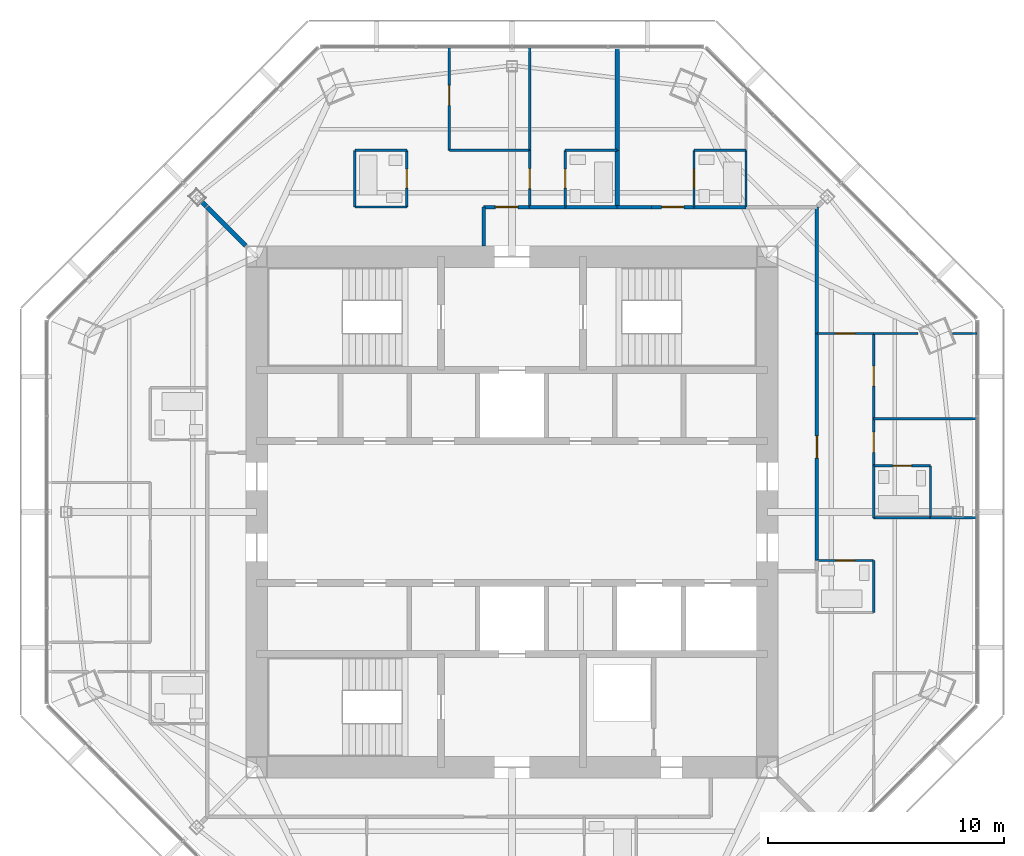
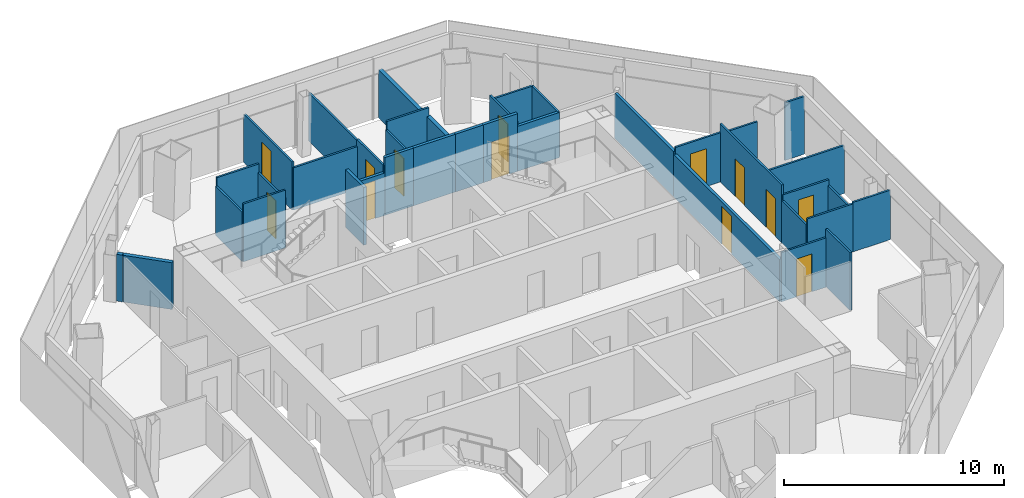
# One storey, part 11 of 15: 38 walls, 13 doors, 13 openings.
"""IFC4 building model written with IfcOpenShell, lengths in metres."""

from ifc_helpers import new_model, si_unit, direction, frame, frame_2d, origin, place, context, subcontext, project, spatial, rectangle, extrude, material, layer, layer_set, type_object, element, fill, save


model = new_model("IFC4")

# Units and contexts
model_context = context("Model", 3, precision=1e-05, world=origin(), true_north=direction((0.0, 1.0)))
body_context = subcontext(model_context, "Body", "Model", "MODEL_VIEW")
ifc_project = project(units=[si_unit("LENGTHUNIT", "METRE"), si_unit("AREAUNIT", "SQUARE_METRE"), si_unit("VOLUMEUNIT", "CUBIC_METRE"), si_unit("PLANEANGLEUNIT", "RADIAN"), si_unit("MASSUNIT", "GRAM", prefix="KILO")], contexts=[model_context])

# Site, building, storey
site_placement = place(None, origin())
site = spatial("IfcSite", under=ifc_project, at=site_placement, CompositionType="ELEMENT")
building_placement = place(site_placement, origin())
building = spatial("IfcBuilding", under=site, at=building_placement, Name="Mashrafa Tower", CompositionType="ELEMENT")
storey_placement = place(building_placement, frame((0.0, 0.0, 294.60009765625)))
storey = spatial("IfcBuildingStorey", under=building, at=storey_placement, Name="L72", CompositionType="ELEMENT", Elevation=294.60009765625)

# Walls
ifc_material_1 = material(Name="Gypsum board on steel studs", Category="steel")
ifc_layer_1 = layer(ifc_material_1, 0.199951171875)
ifc_layer_set_1 = layer_set([ifc_layer_1], Name="Acoustic partition 200 1 hr")
wall_type_1 = type_object("IfcWallType", Name="Acoustic partition 200 1 hr", PredefinedType="PARTITIONING", material=ifc_layer_set_1)
wall_1_placement = place(storey_placement, frame((4.449951171875, 15.300048828125, 0.0), z_axis=(0.0, 0.0, 1.0), x_axis=(0.0, -1.0, 0.0)))
element("IfcWall", 1, at=wall_1_placement, inside=storey, type_object=wall_type_1, Name="Acoustic wall L72-050", PredefinedType="PARTITIONING", context=body_context, shape_type="SweptSolid", body=[
    extrude(rectangle(XDim=2.400146484375, YDim=0.199951171875, at=frame_2d((1.2001953125, 0.0))), origin(), (0.0, 0.0, 1.0), 2.730224609375),
])
wall_2_placement = place(storey_placement, frame((4.449951171875, 19.662841796875, 0.0), z_axis=(0.0, 0.0, 1.0), x_axis=(0.0, -1.0, 0.0)))
element("IfcWall", 2, at=wall_2_placement, inside=storey, type_object=wall_type_1, Name="Acoustic wall L72-051", PredefinedType="PARTITIONING", context=body_context, shape_type="SweptSolid", body=[
    extrude(rectangle(XDim=4.36279296875, YDim=0.199951171875, at=frame_2d((2.181396484375, 0.0))), origin(), (0.0, 0.0, 1.0), 2.66162109375),
])
wall_3_placement = place(storey_placement, frame((-13.110107421875, 13.110107421875, 0.0), z_axis=(0.0, 0.0, 1.0), x_axis=(0.707106781187, -0.707106781187, 0.0)))
element("IfcWall", 3, at=wall_3_placement, inside=storey, type_object=wall_type_1, Name="Acoustic wall L72-062", PredefinedType="PARTITIONING", context=body_context, shape_type="SweptSolid", body=[
    extrude(rectangle(XDim=0.26171875, YDim=0.199951171875, at=frame_2d((0.130859375, 0.0))), origin(), (0.0, 0.0, 1.0), 2.590576171875),
])
wall_4_placement = place(storey_placement, frame((-12.90087890625, 12.90087890625, 0.0), z_axis=(0.0, 0.0, 1.0), x_axis=(0.707106781187, -0.707106781187, 0.0)))
element("IfcWall", 4, at=wall_4_placement, inside=storey, type_object=wall_type_1, Name="Acoustic wall L72-063", PredefinedType="PARTITIONING", context=body_context, shape_type="SweptSolid", body=[
    extrude(rectangle(XDim=2.307861328125, YDim=0.199951171875, at=frame_2d((1.15380859375, 0.0))), origin(), (0.0, 0.0, 1.0), 2.590576171875),
])
ifc_material_2 = material(Name="Gypsum board on steel studs", Category="steel")
ifc_layer_2 = layer(ifc_material_2, 0.14990234375)
ifc_layer_set_2 = layer_set([ifc_layer_2], Name="Corridor partition 150 1 hr")
wall_type_2 = type_object("IfcWallType", Name="Corridor partition 150 1 hr", PredefinedType="PARTITIONING", material=ifc_layer_set_2)
wall_5_placement = place(storey_placement, frame((12.89990234375, 7.549072265625, 0.0), z_axis=(0.0, 0.0, 1.0), x_axis=(0.0, 1.0, 0.0)))
element("IfcWall", 5, at=wall_5_placement, inside=storey, type_object=wall_type_2, Name="Corridor wall L72-002", PredefinedType="PARTITIONING", context=body_context, shape_type="SweptSolid", body=[
    extrude(rectangle(XDim=5.350830078125, YDim=0.14990234375, at=frame_2d((2.67529296875, 0.0))), origin(), (0.0, 0.0, 1.0), 2.49658203125),
])

# Wall, opening, door
wall_6_placement = place(storey_placement, frame((12.89990234375, -2.051025390625, 0.0), z_axis=(0.0, 0.0, 1.0), x_axis=(0.0, 1.0, 0.0)))
wall_6 = element("IfcWall", 6, at=wall_6_placement, inside=storey, type_object=wall_type_2, Name="Corridor wall L72-004", PredefinedType="PARTITIONING", context=body_context, shape_type="SweptSolid", body=[
    extrude(rectangle(XDim=9.60205078125, YDim=0.14990234375, at=frame_2d((4.801025390625, 0.0))), origin(), (0.0, 0.0, 1.0), 2.34912109375),
])
opening_1_placement = place(wall_6_placement, frame((4.325927734375, 0.0, 0.0)))
opening_1 = element("IfcOpeningElement", 7, at=opening_1_placement, cuts=wall_6, Name="Opening 72.007", PredefinedType="OPENING", context=body_context, shape_type="SweptSolid", body=[
    extrude(rectangle(XDim=0.949951171875, YDim=2.10009765625, at=frame_2d((0.47509765625, 1.050048828125))), frame((0.0, 0.0849609375, 0.0), z_axis=(0.0, -1.0, 0.0), x_axis=(1.0, 0.0, 0.0)), (0.0, 0.0, 1.0), 0.169921875),
])
ifc_material_3 = material(Name="Steel door", Category="steel")
door_type_1 = type_object("IfcDoorType", Name="Residence entrance door 950 x 2100 20 min", OperationType="USERDEFINED", PredefinedType="DOOR", material=ifc_material_3)
door_1_placement = place(opening_1_placement, frame((0.949951171875, 0.0, 0.0), z_axis=(0.0, 0.0, 1.0), x_axis=(-1.0, 0.0, 0.0)))
door_1 = element("IfcDoor", 8, at=door_1_placement, inside=storey, type_object=door_type_1, Name="Apartment 7201 Living Room door", OperationType="SINGLE_SWING_LEFT", OverallHeight=2.10009765625, OverallWidth=0.949951171875, PredefinedType="DOOR", context=body_context, shape_type="SweptSolid", body=[
    extrude(rectangle(XDim=0.949951171875, YDim=2.10009765625, at=frame_2d((0.47509765625, 1.050048828125))), frame((0.0, 0.02490234375, 0.0), z_axis=(0.0, -1.0, 0.0), x_axis=(1.0, 0.0, 0.0)), (0.0, 0.0, 1.0), 0.050048828125),
])
fill(opening_1, door_1)

# Walls
wall_7_placement = place(storey_placement, frame((9.90087890625, 12.89990234375, 0.0), z_axis=(0.0, 0.0, 1.0), x_axis=(-1.0, 0.0, 0.0)))
element("IfcWall", 9, at=wall_7_placement, inside=storey, type_object=wall_type_2, Name="Corridor wall L72-006", PredefinedType="PARTITIONING", context=body_context, shape_type="SweptSolid", body=[
    extrude(rectangle(XDim=2.201904296875, YDim=0.14990234375, at=frame_2d((1.10107421875, 0.0))), origin(), (0.0, 0.0, 1.0), 2.49658203125),
])
wall_8_placement = place(storey_placement, frame((5.90087890625, 12.89990234375, 0.0), z_axis=(0.0, 0.0, 1.0), x_axis=(-1.0, 0.0, 0.0)))
element("IfcWall", 10, at=wall_8_placement, inside=storey, type_object=wall_type_2, Name="Corridor wall L72-007", PredefinedType="PARTITIONING", context=body_context, shape_type="SweptSolid", body=[
    extrude(rectangle(XDim=1.451904296875, YDim=0.14990234375, at=frame_2d((0.72607421875, 0.0))), origin(), (0.0, 0.0, 1.0), 3.199951171875),
])

# Wall, opening, door
wall_9_placement = place(storey_placement, frame((7.700927734375, 12.89990234375, 0.0), z_axis=(0.0, 0.0, 1.0), x_axis=(-1.0, 0.0, 0.0)))
wall_9 = element("IfcWall", 11, at=wall_9_placement, inside=storey, type_object=wall_type_2, Name="Corridor wall L72-008", PredefinedType="PARTITIONING", context=body_context, shape_type="SweptSolid", body=[
    extrude(rectangle(XDim=1.802001953125, YDim=0.14990234375, at=frame_2d((0.90087890625, 0.0))), origin(), (0.0, 0.0, 1.0), 3.199951171875),
])
opening_2_placement = place(wall_9_placement, frame((0.426025390625, 0.0, 0.0)))
opening_2 = element("IfcOpeningElement", 12, at=opening_2_placement, cuts=wall_9, Name="Opening 72.011", PredefinedType="OPENING", context=body_context, shape_type="SweptSolid", body=[
    extrude(rectangle(XDim=0.949951171875, YDim=2.10009765625, at=frame_2d((0.47509765625, 1.050048828125))), frame((0.0, 0.0849609375, 0.0), z_axis=(0.0, -1.0, 0.0), x_axis=(1.0, 0.0, 0.0)), (0.0, 0.0, 1.0), 0.169921875),
])
door_2_placement = place(opening_2_placement, frame((0.949951171875, 0.0, 0.0), z_axis=(0.0, 0.0, 1.0), x_axis=(-1.0, 0.0, 0.0)))
door_2 = element("IfcDoor", 13, at=door_2_placement, inside=storey, type_object=door_type_1, Name="Apartment 7202 Living Room door", OperationType="SINGLE_SWING_LEFT", OverallHeight=2.10009765625, OverallWidth=0.949951171875, PredefinedType="DOOR", context=body_context, shape_type="SweptSolid", body=[
    extrude(rectangle(XDim=0.949951171875, YDim=2.10009765625, at=frame_2d((0.47509765625, 1.050048828125))), frame((0.0, 0.02490234375, 0.0), z_axis=(0.0, -1.0, 0.0), x_axis=(1.0, 0.0, 0.0)), (0.0, 0.0, 1.0), 0.050048828125),
])
fill(opening_2, door_2)

# Walls
wall_10_placement = place(storey_placement, frame((4.450927734375, 12.89990234375, 0.0), z_axis=(0.0, 0.0, 1.0), x_axis=(-1.0, 0.0, 0.0)))
element("IfcWall", 14, at=wall_10_placement, inside=storey, type_object=wall_type_2, Name="Corridor wall L72-009", PredefinedType="PARTITIONING", context=body_context, shape_type="SweptSolid", body=[
    extrude(rectangle(XDim=2.201904296875, YDim=0.14990234375, at=frame_2d((1.10107421875, 0.0))), origin(), (0.0, 0.0, 1.0), 3.199951171875),
])
wall_11_placement = place(storey_placement, frame((2.2509765625, 12.89990234375, 0.0), z_axis=(0.0, 0.0, 1.0), x_axis=(-1.0, 0.0, 0.0)))
element("IfcWall", 15, at=wall_11_placement, inside=storey, type_object=wall_type_2, Name="Corridor wall L72-010", PredefinedType="PARTITIONING", context=body_context, shape_type="SweptSolid", body=[
    extrude(rectangle(XDim=1.501953125, YDim=0.14990234375, at=frame_2d((0.7509765625, 0.0))), origin(), (0.0, 0.0, 1.0), 3.199951171875),
])

# Wall, opening, door
wall_12_placement = place(storey_placement, frame((0.7509765625, 12.89990234375, 0.0), z_axis=(0.0, 0.0, 1.0), x_axis=(-1.0, 0.0, 0.0)))
wall_12 = element("IfcWall", 16, at=wall_12_placement, inside=storey, type_object=wall_type_2, Name="Corridor wall L72-011", PredefinedType="PARTITIONING", context=body_context, shape_type="SweptSolid", body=[
    extrude(rectangle(XDim=1.950927734375, YDim=0.14990234375, at=frame_2d((0.9755859375, 0.0))), origin(), (0.0, 0.0, 1.0), 2.34912109375),
])
opening_3_placement = place(wall_12_placement, frame((0.50048828125, 0.0, 0.0)))
opening_3 = element("IfcOpeningElement", 17, at=opening_3_placement, cuts=wall_12, Name="Opening 72.016", PredefinedType="OPENING", context=body_context, shape_type="SweptSolid", body=[
    extrude(rectangle(XDim=0.949951171875, YDim=2.10009765625, at=frame_2d((0.47509765625, 1.050048828125))), frame((0.0, 0.0849609375, 0.0), z_axis=(0.0, -1.0, 0.0), x_axis=(1.0, 0.0, 0.0)), (0.0, 0.0, 1.0), 0.169921875),
])
door_3_placement = place(opening_3_placement, frame((0.949951171875, 0.0, 0.0), z_axis=(0.0, 0.0, 1.0), x_axis=(-1.0, 0.0, 0.0)))
door_3 = element("IfcDoor", 18, at=door_3_placement, inside=storey, type_object=door_type_1, Name="Apartment 7203 Living Room door", OperationType="SINGLE_SWING_RIGHT", OverallHeight=2.10009765625, OverallWidth=0.949951171875, PredefinedType="DOOR", context=body_context, shape_type="SweptSolid", body=[
    extrude(rectangle(XDim=0.949951171875, YDim=2.10009765625, at=frame_2d((0.47509765625, 1.050048828125))), frame((0.0, 0.02490234375, 0.0), z_axis=(0.0, -1.0, 0.0), x_axis=(1.0, 0.0, 0.0)), (0.0, 0.0, 1.0), 0.050048828125),
])
fill(opening_3, door_3)

# Walls
wall_13_placement = place(storey_placement, frame((-1.199951171875, 12.89990234375, 0.0), z_axis=(0.0, 0.0, 1.0), x_axis=(0.0, -1.0, 0.0)))
element("IfcWall", 19, at=wall_13_placement, inside=storey, type_object=wall_type_2, Name="Corridor wall L72-012", PredefinedType="PARTITIONING", context=body_context, shape_type="SweptSolid", body=[
    extrude(rectangle(XDim=1.64990234375, YDim=0.14990234375, at=frame_2d((0.824951171875, 0.0))), origin(), (0.0, 0.0, 1.0), 3.199951171875),
])
ifc_material_4 = material(Name="Gypsum board on steel studs", Category="steel")
ifc_layer_3 = layer(ifc_material_4, 0.10009765625)
ifc_layer_set_3 = layer_set([ifc_layer_3], Name="Partition 100")
wall_type_3 = type_object("IfcWallType", Name="Partition 100", PredefinedType="PARTITIONING", material=ifc_layer_set_3)
wall_14_placement = place(storey_placement, frame((15.300048828125, -4.25, 0.0), z_axis=(0.0, 0.0, 1.0), x_axis=(0.0, 1.0, 0.0)))
element("IfcWall", 20, at=wall_14_placement, inside=storey, type_object=wall_type_3, Name="Partition wall L72-028", PredefinedType="PARTITIONING", context=body_context, shape_type="SweptSolid", body=[
    extrude(rectangle(XDim=2.199951171875, YDim=0.10009765625, at=frame_2d((1.10009765625, 0.0))), origin(), (0.0, 0.0, 1.0), 3.199951171875),
])

# Wall, opening, door
wall_15_placement = place(storey_placement, frame((15.300048828125, -2.050048828125, 0.0), z_axis=(0.0, 0.0, 1.0), x_axis=(-1.0, 0.0, 0.0)))
wall_15 = element("IfcWall", 21, at=wall_15_placement, inside=storey, type_object=wall_type_3, Name="Partition wall L72-029", PredefinedType="PARTITIONING", context=body_context, shape_type="SweptSolid", body=[
    extrude(rectangle(XDim=2.400146484375, YDim=0.10009765625, at=frame_2d((1.2001953125, 0.0))), origin(), (0.0, 0.0, 1.0), 2.730224609375),
])
opening_4_placement = place(wall_15_placement, frame((0.800048828125, 0.0, 0.0)))
opening_4 = element("IfcOpeningElement", 22, at=opening_4_placement, cuts=wall_15, Name="Opening 72.002", PredefinedType="OPENING", context=body_context, shape_type="SweptSolid", body=[
    extrude(rectangle(XDim=0.800048828125, YDim=2.10009765625, at=frame_2d((0.39990234375, 1.050048828125))), frame((0.0, 0.06005859375, 0.0), z_axis=(0.0, -1.0, 0.0), x_axis=(1.0, 0.0, 0.0)), (0.0, 0.0, 1.0), 0.1201171875),
])
ifc_material_5 = material(Name="Timber door", Category="wood")
door_type_2 = type_object("IfcDoorType", Name="Bathroom door 800 x 2100", OperationType="USERDEFINED", PredefinedType="DOOR", material=ifc_material_5)
door_4_placement = place(opening_4_placement, origin())
door_4 = element("IfcDoor", 23, at=door_4_placement, inside=storey, type_object=door_type_2, Name="Apartment 7201 Bathroom door", OperationType="SINGLE_SWING_RIGHT", OverallHeight=2.10009765625, OverallWidth=0.800048828125, PredefinedType="DOOR", context=body_context, shape_type="SweptSolid", body=[
    extrude(rectangle(XDim=0.800048828125, YDim=2.10009765625, at=frame_2d((0.39990234375, 1.050048828125))), frame((0.0, 0.02490234375, 0.0), z_axis=(0.0, -1.0, 0.0), x_axis=(1.0, 0.0, 0.0)), (0.0, 0.0, 1.0), 0.050048828125),
])
fill(opening_4, door_4)

# Wall
wall_16_placement = place(storey_placement, frame((17.699951171875, -0.25, 0.0), z_axis=(0.0, 0.0, 1.0), x_axis=(0.0, 1.0, 0.0)))
element("IfcWall", 24, at=wall_16_placement, inside=storey, type_object=wall_type_3, Name="Partition wall L72-030", PredefinedType="PARTITIONING", context=body_context, shape_type="SweptSolid", body=[
    extrude(rectangle(XDim=2.199951171875, YDim=0.10009765625, at=frame_2d((1.10009765625, 0.0))), origin(), (0.0, 0.0, 1.0), 2.34912109375),
])

# Wall, opening, door
wall_17_placement = place(storey_placement, frame((17.699951171875, 1.949951171875, 0.0), z_axis=(0.0, 0.0, 1.0), x_axis=(-1.0, 0.0, 0.0)))
wall_17 = element("IfcWall", 25, at=wall_17_placement, inside=storey, type_object=wall_type_3, Name="Partition wall L72-031", PredefinedType="PARTITIONING", context=body_context, shape_type="SweptSolid", body=[
    extrude(rectangle(XDim=2.39990234375, YDim=0.10009765625, at=frame_2d((1.199951171875, 0.0))), origin(), (0.0, 0.0, 1.0), 2.66162109375),
])
opening_5_placement = place(wall_17_placement, frame((0.800048828125, 0.0, 0.0)))
opening_5 = element("IfcOpeningElement", 26, at=opening_5_placement, cuts=wall_17, Name="Opening 72.003", PredefinedType="OPENING", context=body_context, shape_type="SweptSolid", body=[
    extrude(rectangle(XDim=0.800048828125, YDim=2.10009765625, at=frame_2d((0.39990234375, 1.050048828125))), frame((0.0, 0.06005859375, 0.0), z_axis=(0.0, -1.0, 0.0), x_axis=(1.0, 0.0, 0.0)), (0.0, 0.0, 1.0), 0.1201171875),
])
door_5_placement = place(opening_5_placement, origin())
door_5 = element("IfcDoor", 27, at=door_5_placement, inside=storey, type_object=door_type_2, Name="Apartment 7201 En-suite Bathroom door", OperationType="SINGLE_SWING_RIGHT", OverallHeight=2.10009765625, OverallWidth=0.800048828125, PredefinedType="DOOR", context=body_context, shape_type="SweptSolid", body=[
    extrude(rectangle(XDim=0.800048828125, YDim=2.10009765625, at=frame_2d((0.39990234375, 1.050048828125))), frame((0.0, 0.02490234375, 0.0), z_axis=(0.0, -1.0, 0.0), x_axis=(1.0, 0.0, 0.0)), (0.0, 0.0, 1.0), 0.050048828125),
])
fill(opening_5, door_5)

# Walls
wall_18_placement = place(storey_placement, frame((15.300048828125, 1.949951171875, 0.0), z_axis=(0.0, 0.0, 1.0), x_axis=(0.0, -1.0, 0.0)))
element("IfcWall", 28, at=wall_18_placement, inside=storey, type_object=wall_type_3, Name="Partition wall L72-032", PredefinedType="PARTITIONING", context=body_context, shape_type="SweptSolid", body=[
    extrude(rectangle(XDim=2.199951171875, YDim=0.10009765625, at=frame_2d((1.10009765625, 0.0))), origin(), (0.0, 0.0, 1.0), 2.34912109375),
])
wall_19_placement = place(storey_placement, frame((15.300048828125, -0.25, 0.0), z_axis=(0.0, 0.0, 1.0), x_axis=(1.0, 0.0, 0.0)))
element("IfcWall", 29, at=wall_19_placement, inside=storey, type_object=wall_type_3, Name="Partition wall L72-033", PredefinedType="PARTITIONING", context=body_context, shape_type="SweptSolid", body=[
    extrude(rectangle(XDim=2.39990234375, YDim=0.10009765625, at=frame_2d((1.199951171875, 0.0))), origin(), (0.0, 0.0, 1.0), 2.66162109375),
])
wall_20_placement = place(storey_placement, frame((19.662841796875, 3.949951171875, 0.0), z_axis=(0.0, 0.0, 1.0), x_axis=(-1.0, 0.0, 0.0)))
element("IfcWall", 30, at=wall_20_placement, inside=storey, type_object=wall_type_3, Name="Partition wall L72-034", PredefinedType="PARTITIONING", context=body_context, shape_type="SweptSolid", body=[
    extrude(rectangle(XDim=4.36279296875, YDim=0.10009765625, at=frame_2d((2.181396484375, 0.0))), origin(), (0.0, 0.0, 1.0), 2.66162109375),
])

# Wall, openings, doors
wall_21_placement = place(storey_placement, frame((15.300048828125, 1.949951171875, 0.0), z_axis=(0.0, 0.0, 1.0), x_axis=(0.0, 1.0, 0.0)))
wall_21 = element("IfcWall", 31, at=wall_21_placement, inside=storey, type_object=wall_type_3, Name="Partition wall L72-035", PredefinedType="PARTITIONING", context=body_context, shape_type="SweptSolid", body=[
    extrude(rectangle(XDim=5.60009765625, YDim=0.10009765625, at=frame_2d((2.800048828125, 0.0))), origin(), (0.0, 0.0, 1.0), 3.199951171875),
])
opening_6_placement = place(wall_21_placement, frame((0.574951171875, 0.0, 0.0)))
opening_6 = element("IfcOpeningElement", 32, at=opening_6_placement, cuts=wall_21, Name="Opening 72.004", PredefinedType="OPENING", context=body_context, shape_type="SweptSolid", body=[
    extrude(rectangle(XDim=0.85009765625, YDim=2.10009765625, at=frame_2d((0.425048828125, 1.050048828125))), frame((0.0, 0.06005859375, 0.0), z_axis=(0.0, -1.0, 0.0), x_axis=(1.0, 0.0, 0.0)), (0.0, 0.0, 1.0), 0.1201171875),
])
opening_7_placement = place(wall_21_placement, frame((3.375, 0.0, 0.0)))
opening_7 = element("IfcOpeningElement", 33, at=opening_7_placement, cuts=wall_21, Name="Opening 72.005", PredefinedType="OPENING", context=body_context, shape_type="SweptSolid", body=[
    extrude(rectangle(XDim=0.85009765625, YDim=2.10009765625, at=frame_2d((0.425048828125, 1.050048828125))), frame((0.0, 0.06005859375, 0.0), z_axis=(0.0, -1.0, 0.0), x_axis=(1.0, 0.0, 0.0)), (0.0, 0.0, 1.0), 0.1201171875),
])
ifc_material_6 = material(Name="Timber door", Category="wood")
door_type_3 = type_object("IfcDoorType", Name="Bedroom door 850 x 2100", OperationType="USERDEFINED", PredefinedType="DOOR", material=ifc_material_6)
door_6_placement = place(opening_6_placement, frame((0.85009765625, 0.0, 0.0), z_axis=(0.0, 0.0, 1.0), x_axis=(-1.0, 0.0, 0.0)))
door_6 = element("IfcDoor", 34, at=door_6_placement, inside=storey, type_object=door_type_3, Name="Apartment 7201 Bedroom 1 door", OperationType="SINGLE_SWING_LEFT", OverallHeight=2.10009765625, OverallWidth=0.85009765625, PredefinedType="DOOR", context=body_context, shape_type="SweptSolid", body=[
    extrude(rectangle(XDim=0.85009765625, YDim=2.10009765625, at=frame_2d((0.425048828125, 1.050048828125))), frame((0.0, 0.02490234375, 0.0), z_axis=(0.0, -1.0, 0.0), x_axis=(1.0, 0.0, 0.0)), (0.0, 0.0, 1.0), 0.050048828125),
])
fill(opening_6, door_6)
door_7_placement = place(opening_7_placement, frame((0.85009765625, 0.0, 0.0), z_axis=(0.0, 0.0, 1.0), x_axis=(-1.0, 0.0, 0.0)))
door_7 = element("IfcDoor", 35, at=door_7_placement, inside=storey, type_object=door_type_3, Name="Apartment 7201 Bedroom 2 door", OperationType="SINGLE_SWING_RIGHT", OverallHeight=2.10009765625, OverallWidth=0.85009765625, PredefinedType="DOOR", context=body_context, shape_type="SweptSolid", body=[
    extrude(rectangle(XDim=0.85009765625, YDim=2.10009765625, at=frame_2d((0.425048828125, 1.050048828125))), frame((0.0, 0.02490234375, 0.0), z_axis=(0.0, -1.0, 0.0), x_axis=(1.0, 0.0, 0.0)), (0.0, 0.0, 1.0), 0.050048828125),
])
fill(opening_7, door_7)

# Walls
wall_22_placement = place(storey_placement, frame((17.699951171875, -0.25, 0.0), z_axis=(0.0, 0.0, 1.0), x_axis=(1.0, 0.0, 0.0)))
element("IfcWall", 36, at=wall_22_placement, inside=storey, type_object=wall_type_3, Name="Partition wall L72-036", PredefinedType="PARTITIONING", context=body_context, shape_type="SweptSolid", body=[
    extrude(rectangle(XDim=1.962890625, YDim=0.10009765625, at=frame_2d((0.9814453125, 0.0))), origin(), (0.0, 0.0, 1.0), 2.740234375),
])
wall_23_placement = place(storey_placement, frame((19.662841796875, 7.550048828125, 0.0), z_axis=(0.0, 0.0, 1.0), x_axis=(-1.0, 0.0, 0.0)))
element("IfcWall", 37, at=wall_23_placement, inside=storey, type_object=wall_type_3, Name="Partition wall L72-037", PredefinedType="PARTITIONING", context=body_context, shape_type="SweptSolid", body=[
    extrude(rectangle(XDim=1.0283203125, YDim=0.10009765625, at=frame_2d((0.51416015625, 0.0))), origin(), (0.0, 0.0, 1.0), 3.199951171875),
])
wall_24_placement = place(storey_placement, frame((17.18115234375, 7.550048828125, 0.0), z_axis=(0.0, 0.0, 1.0), x_axis=(-1.0, 0.0, 0.0)))
element("IfcWall", 38, at=wall_24_placement, inside=storey, type_object=wall_type_3, Name="Partition wall L72-038", PredefinedType="PARTITIONING", context=body_context, shape_type="SweptSolid", body=[
    extrude(rectangle(XDim=1.881103515625, YDim=0.10009765625, at=frame_2d((0.9404296875, 0.0))), origin(), (0.0, 0.0, 1.0), 2.66162109375),
])

# Wall, opening, door
wall_25_placement = place(storey_placement, frame((12.89990234375, 7.550048828125, 0.0), z_axis=(0.0, 0.0, 1.0), x_axis=(1.0, 0.0, 0.0)))
wall_25 = element("IfcWall", 39, at=wall_25_placement, inside=storey, type_object=wall_type_3, Name="Partition wall L72-040", PredefinedType="PARTITIONING", context=body_context, shape_type="SweptSolid", body=[
    extrude(rectangle(XDim=2.401123046875, YDim=0.10009765625, at=frame_2d((1.20068359375, 0.0))), origin(), (0.0, 0.0, 1.0), 2.730224609375),
])
opening_8_placement = place(wall_25_placement, frame((0.775390625, 0.0, 0.0)))
opening_8 = element("IfcOpeningElement", 40, at=opening_8_placement, cuts=wall_25, Name="Opening 72.006", PredefinedType="OPENING", context=body_context, shape_type="SweptSolid", body=[
    extrude(rectangle(XDim=0.85009765625, YDim=2.10009765625, at=frame_2d((0.425048828125, 1.050048828125))), frame((0.0, 0.06005859375, 0.0), z_axis=(0.0, -1.0, 0.0), x_axis=(1.0, 0.0, 0.0)), (0.0, 0.0, 1.0), 0.1201171875),
])
door_8_placement = place(opening_8_placement, origin())
door_8 = element("IfcDoor", 41, at=door_8_placement, inside=storey, type_object=door_type_3, Name="Apartment 7201 Bedroom 3 door", OperationType="SINGLE_SWING_LEFT", OverallHeight=2.10009765625, OverallWidth=0.85009765625, PredefinedType="DOOR", context=body_context, shape_type="SweptSolid", body=[
    extrude(rectangle(XDim=0.85009765625, YDim=2.10009765625, at=frame_2d((0.425048828125, 1.050048828125))), frame((0.0, 0.02490234375, 0.0), z_axis=(0.0, -1.0, 0.0), x_axis=(1.0, 0.0, 0.0)), (0.0, 0.0, 1.0), 0.050048828125),
])
fill(opening_8, door_8)

# Walls
wall_26_placement = place(storey_placement, frame((9.89990234375, 15.301025390625, 0.0), z_axis=(0.0, 0.0, 1.0), x_axis=(0.0, -1.0, 0.0)))
element("IfcWall", 42, at=wall_26_placement, inside=storey, type_object=wall_type_3, Name="Partition wall L72-046", PredefinedType="PARTITIONING", context=body_context, shape_type="SweptSolid", body=[
    extrude(rectangle(XDim=2.401123046875, YDim=0.10009765625, at=frame_2d((1.20068359375, 0.0))), origin(), (0.0, 0.0, 1.0), 2.49658203125),
])
wall_27_placement = place(storey_placement, frame((9.89990234375, 15.300048828125, 0.0), z_axis=(0.0, 0.0, 1.0), x_axis=(-1.0, 0.0, 0.0)))
element("IfcWall", 43, at=wall_27_placement, inside=storey, type_object=wall_type_3, Name="Partition wall L72-048", PredefinedType="PARTITIONING", context=body_context, shape_type="SweptSolid", body=[
    extrude(rectangle(XDim=2.199951171875, YDim=0.10009765625, at=frame_2d((1.10009765625, 0.0))), origin(), (0.0, 0.0, 1.0), 2.49658203125),
])

# Wall, opening, door
wall_28_placement = place(storey_placement, frame((7.699951171875, 15.300048828125, 0.0), z_axis=(0.0, 0.0, 1.0), x_axis=(0.0, -1.0, 0.0)))
wall_28 = element("IfcWall", 44, at=wall_28_placement, inside=storey, type_object=wall_type_3, Name="Partition wall L72-049", PredefinedType="PARTITIONING", context=body_context, shape_type="SweptSolid", body=[
    extrude(rectangle(XDim=2.400146484375, YDim=0.10009765625, at=frame_2d((1.2001953125, 0.0))), origin(), (0.0, 0.0, 1.0), 2.730224609375),
])
opening_9_placement = place(wall_28_placement, frame((0.800048828125, 0.0, 0.0)))
opening_9 = element("IfcOpeningElement", 45, at=opening_9_placement, cuts=wall_28, Name="Opening 72.010", PredefinedType="OPENING", context=body_context, shape_type="SweptSolid", body=[
    extrude(rectangle(XDim=0.800048828125, YDim=2.10009765625, at=frame_2d((0.39990234375, 1.050048828125))), frame((0.0, 0.06005859375, 0.0), z_axis=(0.0, -1.0, 0.0), x_axis=(1.0, 0.0, 0.0)), (0.0, 0.0, 1.0), 0.1201171875),
])
door_9_placement = place(opening_9_placement, origin())
door_9 = element("IfcDoor", 46, at=door_9_placement, inside=storey, type_object=door_type_2, Name="Apartment 7202 Bathroom door", OperationType="SINGLE_SWING_RIGHT", OverallHeight=2.10009765625, OverallWidth=0.800048828125, PredefinedType="DOOR", context=body_context, shape_type="SweptSolid", body=[
    extrude(rectangle(XDim=0.800048828125, YDim=2.10009765625, at=frame_2d((0.39990234375, 1.050048828125))), frame((0.0, 0.02490234375, 0.0), z_axis=(0.0, -1.0, 0.0), x_axis=(1.0, 0.0, 0.0)), (0.0, 0.0, 1.0), 0.050048828125),
])
fill(opening_9, door_9)

# Walls
wall_29_placement = place(storey_placement, frame((-6.64990234375, 12.89990234375, 0.0), z_axis=(0.0, 0.0, 1.0), x_axis=(0.0, 1.0, 0.0)))
element("IfcWall", 47, at=wall_29_placement, inside=storey, type_object=wall_type_3, Name="Partition wall L72-052", PredefinedType="PARTITIONING", context=body_context, shape_type="SweptSolid", body=[
    extrude(rectangle(XDim=2.400146484375, YDim=0.10009765625, at=frame_2d((1.2001953125, 0.0))), origin(), (0.0, 0.0, 1.0), 2.730224609375),
])
wall_30_placement = place(storey_placement, frame((-6.64990234375, 12.89990234375, 0.0), z_axis=(0.0, 0.0, 1.0), x_axis=(1.0, 0.0, 0.0)))
element("IfcWall", 48, at=wall_30_placement, inside=storey, type_object=wall_type_3, Name="Partition wall L72-053", PredefinedType="PARTITIONING", context=body_context, shape_type="SweptSolid", body=[
    extrude(rectangle(XDim=2.199951171875, YDim=0.10009765625, at=frame_2d((1.10009765625, 0.0))), origin(), (0.0, 0.0, 1.0), 3.199951171875),
])

# Wall, opening, door
wall_31_placement = place(storey_placement, frame((-4.449951171875, 12.89990234375, 0.0), z_axis=(0.0, 0.0, 1.0), x_axis=(0.0, 1.0, 0.0)))
wall_31 = element("IfcWall", 49, at=wall_31_placement, inside=storey, type_object=wall_type_3, Name="Partition wall L72-054", PredefinedType="PARTITIONING", context=body_context, shape_type="SweptSolid", body=[
    extrude(rectangle(XDim=2.400146484375, YDim=0.10009765625, at=frame_2d((1.2001953125, 0.0))), origin(), (0.0, 0.0, 1.0), 2.730224609375),
])
opening_10_placement = place(wall_31_placement, frame((0.800048828125, 0.0, 0.0)))
opening_10 = element("IfcOpeningElement", 50, at=opening_10_placement, cuts=wall_31, Name="Opening 72.012", PredefinedType="OPENING", context=body_context, shape_type="SweptSolid", body=[
    extrude(rectangle(XDim=0.800048828125, YDim=2.10009765625, at=frame_2d((0.39990234375, 1.050048828125))), frame((0.0, 0.06005859375, 0.0), z_axis=(0.0, -1.0, 0.0), x_axis=(1.0, 0.0, 0.0)), (0.0, 0.0, 1.0), 0.1201171875),
])
door_10_placement = place(opening_10_placement, origin())
door_10 = element("IfcDoor", 51, at=door_10_placement, inside=storey, type_object=door_type_2, Name="Apartment 7203 Bathroom door", OperationType="SINGLE_SWING_LEFT", OverallHeight=2.10009765625, OverallWidth=0.800048828125, PredefinedType="DOOR", context=body_context, shape_type="SweptSolid", body=[
    extrude(rectangle(XDim=0.800048828125, YDim=2.10009765625, at=frame_2d((0.39990234375, 1.050048828125))), frame((0.0, 0.02490234375, 0.0), z_axis=(0.0, -1.0, 0.0), x_axis=(1.0, 0.0, 0.0)), (0.0, 0.0, 1.0), 0.050048828125),
])
fill(opening_10, door_10)

# Walls
wall_32_placement = place(storey_placement, frame((-4.449951171875, 15.300048828125, 0.0), z_axis=(0.0, 0.0, 1.0), x_axis=(-1.0, 0.0, 0.0)))
element("IfcWall", 52, at=wall_32_placement, inside=storey, type_object=wall_type_3, Name="Partition wall L72-055", PredefinedType="PARTITIONING", context=body_context, shape_type="SweptSolid", body=[
    extrude(rectangle(XDim=2.199951171875, YDim=0.10009765625, at=frame_2d((1.10009765625, 0.0))), origin(), (0.0, 0.0, 1.0), 3.199951171875),
])
wall_33_placement = place(storey_placement, frame((0.75, 15.300048828125, 0.0), z_axis=(0.0, 0.0, 1.0), x_axis=(0.0, 1.0, 0.0)))
element("IfcWall", 53, at=wall_33_placement, inside=storey, type_object=wall_type_3, Name="Partition wall L72-056", PredefinedType="PARTITIONING", context=body_context, shape_type="SweptSolid", body=[
    extrude(rectangle(XDim=4.36279296875, YDim=0.10009765625, at=frame_2d((2.181396484375, 0.0))), origin(), (0.0, 0.0, 1.0), 2.66162109375),
])

# Wall, opening, door
wall_34_placement = place(storey_placement, frame((-2.64990234375, 19.664794921875, 0.0), z_axis=(0.0, 0.0, 1.0), x_axis=(0.0, -1.0, 0.0)))
wall_34 = element("IfcWall", 54, at=wall_34_placement, inside=storey, type_object=wall_type_3, Name="Partition wall L72-057", PredefinedType="PARTITIONING", context=body_context, shape_type="SweptSolid", body=[
    extrude(rectangle(XDim=4.36474609375, YDim=0.10009765625, at=frame_2d((2.182373046875, 0.0))), origin(), (0.0, 0.0, 1.0), 2.66162109375),
])
opening_11_placement = place(wall_34_placement, frame((1.619384765625, 0.0, 0.0)))
opening_11 = element("IfcOpeningElement", 55, at=opening_11_placement, cuts=wall_34, Name="Opening 72.013", PredefinedType="OPENING", context=body_context, shape_type="SweptSolid", body=[
    extrude(rectangle(XDim=0.85009765625, YDim=2.10009765625, at=frame_2d((0.425048828125, 1.050048828125))), frame((0.0, 0.06005859375, 0.0), z_axis=(0.0, -1.0, 0.0), x_axis=(1.0, 0.0, 0.0)), (0.0, 0.0, 1.0), 0.1201171875),
])
door_11_placement = place(opening_11_placement, origin())
door_11 = element("IfcDoor", 56, at=door_11_placement, inside=storey, type_object=door_type_3, Name="Apartment 7203 Bedroom 1 door", OperationType="SINGLE_SWING_LEFT", OverallHeight=2.10009765625, OverallWidth=0.85009765625, PredefinedType="DOOR", context=body_context, shape_type="SweptSolid", body=[
    extrude(rectangle(XDim=0.85009765625, YDim=2.10009765625, at=frame_2d((0.425048828125, 1.050048828125))), frame((0.0, 0.02490234375, 0.0), z_axis=(0.0, -1.0, 0.0), x_axis=(1.0, 0.0, 0.0)), (0.0, 0.0, 1.0), 0.050048828125),
])
fill(opening_11, door_11)

# Walls
wall_35_placement = place(storey_placement, frame((-2.64990234375, 15.300048828125, 0.0), z_axis=(0.0, 0.0, 1.0), x_axis=(1.0, 0.0, 0.0)))
element("IfcWall", 57, at=wall_35_placement, inside=storey, type_object=wall_type_3, Name="Partition wall L72-058", PredefinedType="PARTITIONING", context=body_context, shape_type="SweptSolid", body=[
    extrude(rectangle(XDim=3.39990234375, YDim=0.10009765625, at=frame_2d((1.699951171875, 0.0))), origin(), (0.0, 0.0, 1.0), 2.34912109375),
])
wall_36_placement = place(storey_placement, frame((4.449951171875, 15.300048828125, 0.0), z_axis=(0.0, 0.0, 1.0), x_axis=(-1.0, 0.0, 0.0)))
element("IfcWall", 58, at=wall_36_placement, inside=storey, type_object=wall_type_3, Name="Partition wall L72-059", PredefinedType="PARTITIONING", context=body_context, shape_type="SweptSolid", body=[
    extrude(rectangle(XDim=2.199951171875, YDim=0.10009765625, at=frame_2d((1.10009765625, 0.0))), origin(), (0.0, 0.0, 1.0), 3.199951171875),
])

# Wall, opening, door
wall_37_placement = place(storey_placement, frame((2.25, 15.300048828125, 0.0), z_axis=(0.0, 0.0, 1.0), x_axis=(0.0, -1.0, 0.0)))
wall_37 = element("IfcWall", 59, at=wall_37_placement, inside=storey, type_object=wall_type_3, Name="Partition wall L72-060", PredefinedType="PARTITIONING", context=body_context, shape_type="SweptSolid", body=[
    extrude(rectangle(XDim=2.400146484375, YDim=0.10009765625, at=frame_2d((1.2001953125, 0.0))), origin(), (0.0, 0.0, 1.0), 2.730224609375),
])
opening_12_placement = place(wall_37_placement, frame((0.800048828125, 0.0, 0.0)))
opening_12 = element("IfcOpeningElement", 60, at=opening_12_placement, cuts=wall_37, Name="Opening 72.014", PredefinedType="OPENING", context=body_context, shape_type="SweptSolid", body=[
    extrude(rectangle(XDim=0.800048828125, YDim=2.10009765625, at=frame_2d((0.39990234375, 1.050048828125))), frame((0.0, 0.06005859375, 0.0), z_axis=(0.0, -1.0, 0.0), x_axis=(1.0, 0.0, 0.0)), (0.0, 0.0, 1.0), 0.1201171875),
])
door_12_placement = place(opening_12_placement, origin())
door_12 = element("IfcDoor", 61, at=door_12_placement, inside=storey, type_object=door_type_2, Name="Apartment 7203 En-suite Bathroom door", OperationType="SINGLE_SWING_RIGHT", OverallHeight=2.10009765625, OverallWidth=0.800048828125, PredefinedType="DOOR", context=body_context, shape_type="SweptSolid", body=[
    extrude(rectangle(XDim=0.800048828125, YDim=2.10009765625, at=frame_2d((0.39990234375, 1.050048828125))), frame((0.0, 0.02490234375, 0.0), z_axis=(0.0, -1.0, 0.0), x_axis=(1.0, 0.0, 0.0)), (0.0, 0.0, 1.0), 0.050048828125),
])
fill(opening_12, door_12)

wall_38_placement = place(storey_placement, frame((0.75, 15.301025390625, 0.0), z_axis=(0.0, 0.0, 1.0), x_axis=(0.0, -1.0, 0.0)))
wall_38 = element("IfcWall", 62, at=wall_38_placement, inside=storey, type_object=wall_type_3, Name="Partition wall L72-061", PredefinedType="PARTITIONING", context=body_context, shape_type="SweptSolid", body=[
    extrude(rectangle(XDim=2.401123046875, YDim=0.10009765625, at=frame_2d((1.20068359375, 0.0))), origin(), (0.0, 0.0, 1.0), 2.730224609375),
])
opening_13_placement = place(wall_38_placement, frame((0.775390625, 0.0, 0.0)))
opening_13 = element("IfcOpeningElement", 63, at=opening_13_placement, cuts=wall_38, Name="Opening 72.015", PredefinedType="OPENING", context=body_context, shape_type="SweptSolid", body=[
    extrude(rectangle(XDim=0.85009765625, YDim=2.10009765625, at=frame_2d((0.425048828125, 1.050048828125))), frame((0.0, 0.06005859375, 0.0), z_axis=(0.0, -1.0, 0.0), x_axis=(1.0, 0.0, 0.0)), (0.0, 0.0, 1.0), 0.1201171875),
])
door_13_placement = place(opening_13_placement, origin())
door_13 = element("IfcDoor", 64, at=door_13_placement, inside=storey, type_object=door_type_3, Name="Apartment 7203 Bedroom 2 door", OperationType="SINGLE_SWING_RIGHT", OverallHeight=2.10009765625, OverallWidth=0.85009765625, PredefinedType="DOOR", context=body_context, shape_type="SweptSolid", body=[
    extrude(rectangle(XDim=0.85009765625, YDim=2.10009765625, at=frame_2d((0.425048828125, 1.050048828125))), frame((0.0, 0.02490234375, 0.0), z_axis=(0.0, -1.0, 0.0), x_axis=(1.0, 0.0, 0.0)), (0.0, 0.0, 1.0), 0.050048828125),
])
fill(opening_13, door_13)

save(model, "model.ifc")
